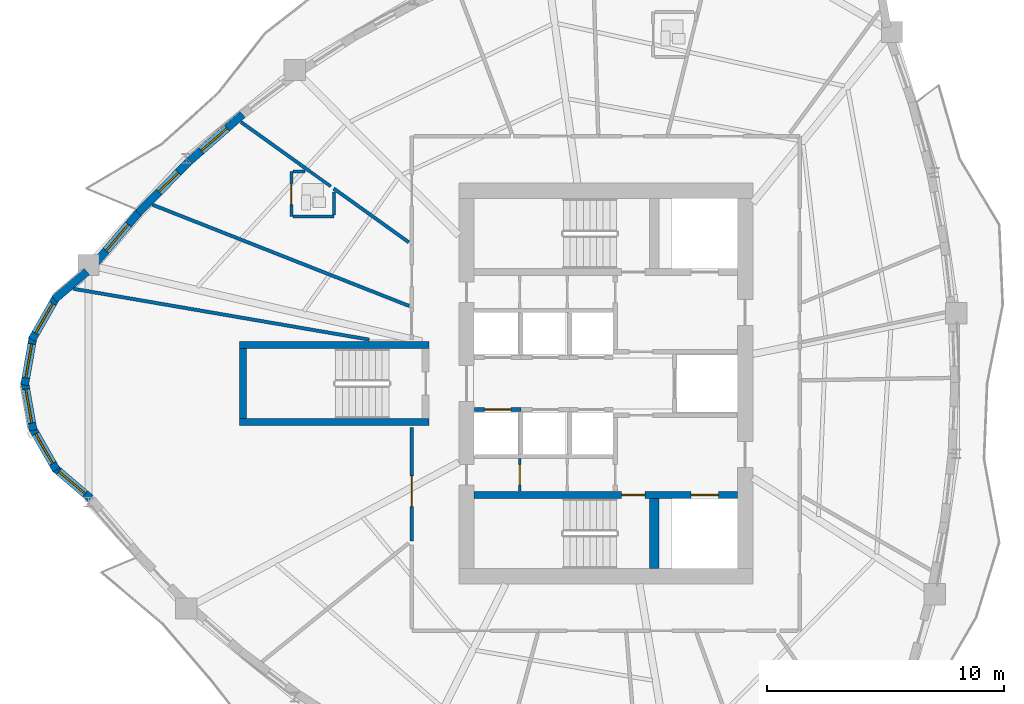
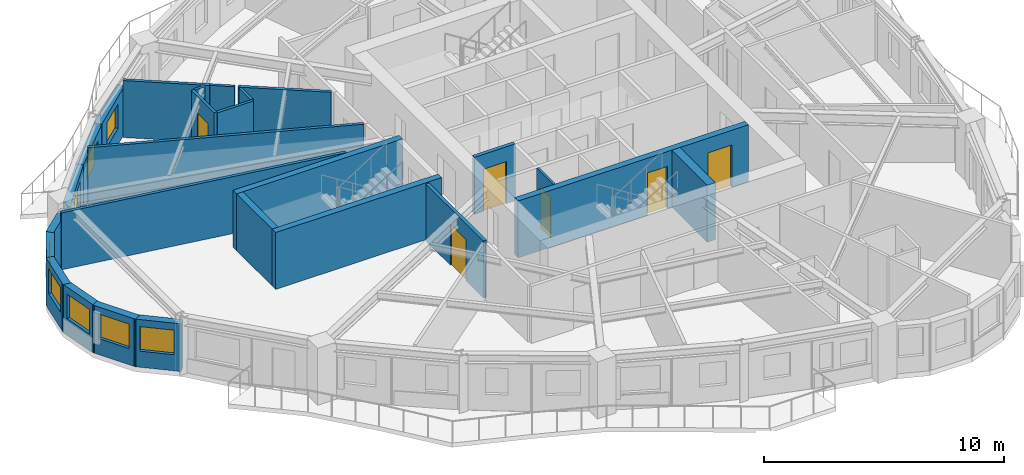
# One storey, part 4 of 12: 26 walls, 8 windows, 6 doors, 14 openings.
"""IFC4 building model written with IfcOpenShell, lengths in metres."""

from ifc_helpers import new_model, si_unit, direction, frame, frame_2d, origin, place, context, subcontext, project, spatial, rectangle, extrude, source, transform, mapped, material, layer, layer_set, type_object, element, fill, save


model = new_model("IFC4")

# Units and contexts
model_context = context("Model", 3, precision=1e-05, world=origin(), true_north=direction((0.0, 1.0)))
body_context = subcontext(model_context, "Body", "Model", "MODEL_VIEW")
ifc_project = project(units=[si_unit("LENGTHUNIT", "METRE"), si_unit("AREAUNIT", "SQUARE_METRE"), si_unit("VOLUMEUNIT", "CUBIC_METRE"), si_unit("PLANEANGLEUNIT", "RADIAN"), si_unit("MASSUNIT", "GRAM", prefix="KILO")], contexts=[model_context])

# Site, building, storey
site_placement = place(None, origin())
site = spatial("IfcSite", under=ifc_project, at=site_placement, CompositionType="ELEMENT")
building_placement = place(site_placement, origin())
building = spatial("IfcBuilding", under=site, at=building_placement, Name="Qafzar Sky-Pleat Residences", CompositionType="ELEMENT")
storey_placement = place(building_placement, frame((0.0, 0.0, 124.800048828125)))
storey = spatial("IfcBuildingStorey", under=building, at=storey_placement, Name="L37", CompositionType="ELEMENT", Elevation=124.800048828125)

# Wall, opening, door
ifc_material_1 = material(Name="Acoustic gypsum plasterboard partition", Category="gypsum")
ifc_layer_1 = layer(ifc_material_1, 0.159912109375)
ifc_layer_set_1 = layer_set([ifc_layer_1], Name="Acoustic gypsum plasterboard partition")
wall_type_1 = type_object("IfcWallType", Name="PART-COR-160", PredefinedType="PARTITIONING", material=ifc_layer_set_1)
wall_1_placement = place(storey_placement, frame((22.169921875, 19.35888671875, 0.0), z_axis=(0.0, 0.0, 1.0), x_axis=(0.0, 1.0, 0.0)))
wall_1 = element("IfcWall", 1, at=wall_1_placement, inside=storey, type_object=wall_type_1, Name="L37 Partition Wall PART-L37-PW-005", PredefinedType="PARTITIONING", context=body_context, shape_type="SweptSolid", body=[
    extrude(rectangle(XDim=4.791015625, YDim=0.159912109375, at=frame_2d((2.3955078125, 0.0))), origin(), (0.0, 0.0, 1.0), 2.89990234375),
])
opening_1_placement = place(wall_1_placement, frame((1.444580078125, 0.0, 0.0)))
opening_1 = element("IfcOpeningElement", 2, at=opening_1_placement, cuts=wall_1, Name="Opening ID-05", PredefinedType="OPENING", context=body_context, shape_type="SweptSolid", body=[
    extrude(rectangle(XDim=1.300048828125, YDim=2.10009765625, at=frame_2d((0.64990234375, 1.050048828125))), frame((0.0, 0.08984375, 0.0), z_axis=(0.0, -1.0, 0.0), x_axis=(1.0, 0.0, 0.0)), (0.0, 0.0, 1.0), 0.179931640625),
])
ifc_material_2 = material(Name="Timber-faced fire door", Category="wood")
door_type_1 = type_object("IfcDoorType", Name="DR-LNG-1300", OperationType="DOUBLE_DOOR_SINGLE_SWING", PredefinedType="DOOR", material=ifc_material_2)
shared_shape_1 = source(origin(), body_context, "Body", "SweptSolid", [
    extrude(rectangle(XDim=1.300048828125, YDim=2.10009765625, at=frame_2d((0.64990234375, 1.050048828125))), frame((0.0, 0.02490234375, 0.0), z_axis=(0.0, -1.0, 0.0), x_axis=(1.0, 0.0, 0.0)), (0.0, 0.0, 1.0), 0.050048828125),
])
door_1_placement = place(opening_1_placement, origin())
door_1 = element("IfcDoor", 3, at=door_1_placement, inside=storey, type_object=door_type_1, Name="L37 Academic Seminar Room Door", OperationType="DOUBLE_DOOR_SINGLE_SWING", OverallHeight=2.10009765625, OverallWidth=1.300048828125, PredefinedType="DOOR", context=body_context, shape_type="MappedRepresentation", body=[
    mapped(shared_shape_1, transform((0.0, 0.0, 0.0), x_axis=(1.0, 0.0, 0.0), y_axis=(0.0, 1.0, 0.0), z_axis=(0.0, 0.0, 1.0), scale=1.0)),
])
fill(opening_1, door_1)

ifc_material_3 = material(Name="Concrete blockwork partition", Category="masonry")
ifc_layer_2 = layer(ifc_material_3, 0.179931640625)
ifc_layer_set_2 = layer_set([ifc_layer_2], Name="Concrete blockwork partition")
wall_type_2 = type_object("IfcWallType", Name="PART-SHAFT-180", PredefinedType="PARTITIONING", material=ifc_layer_set_2)
wall_2_placement = place(storey_placement, frame((24.81005859375, 24.89990234375, 0.0), z_axis=(0.0, 0.0, 1.0), x_axis=(1.0, 0.0, 0.0)))
wall_2 = element("IfcWall", 4, at=wall_2_placement, inside=storey, type_object=wall_type_2, Name="L37 Partition Wall PART-L37-P1-N", PredefinedType="PARTITIONING", context=body_context, shape_type="SweptSolid", body=[
    extrude(rectangle(XDim=1.96484375, YDim=0.179931640625, at=frame_2d((0.982421875, 0.0))), origin(), (0.0, 0.0, 1.0), 2.89990234375),
])
opening_2_placement = place(wall_2_placement, frame((0.4326171875, 0.0, 0.0)))
opening_2 = element("IfcOpeningElement", 5, at=opening_2_placement, cuts=wall_2, Name="Opening LD-01", PredefinedType="OPENING", context=body_context, shape_type="SweptSolid", body=[
    extrude(rectangle(XDim=1.10009765625, YDim=2.14990234375, at=frame_2d((0.550048828125, 1.074951171875))), frame((0.0, 0.10009765625, 0.0), z_axis=(0.0, -1.0, 0.0), x_axis=(1.0, 0.0, 0.0)), (0.0, 0.0, 1.0), 0.199951171875),
])
ifc_material_4 = material(Name="Stainless steel sliding landing door", Category="steel")
door_type_2 = type_object("IfcDoorType", Name="DR-LIFT-P", OperationType="DOUBLE_DOOR_SLIDING", PredefinedType="DOOR", material=ifc_material_4)
shared_shape_2 = source(origin(), body_context, "Body", "SweptSolid", [
    extrude(rectangle(XDim=1.10009765625, YDim=2.14990234375, at=frame_2d((0.550048828125, 1.074951171875))), frame((0.0, 0.02490234375, 0.0), z_axis=(0.0, -1.0, 0.0), x_axis=(1.0, 0.0, 0.0)), (0.0, 0.0, 1.0), 0.050048828125),
])
door_2_placement = place(opening_2_placement, origin())
door_2 = element("IfcDoor", 6, at=door_2_placement, inside=storey, type_object=door_type_2, Name="L37 Passenger Lift P1 Landing Door", OperationType="DOUBLE_DOOR_SLIDING", OverallHeight=2.14990234375, OverallWidth=1.10009765625, PredefinedType="DOOR", context=body_context, shape_type="MappedRepresentation", body=[
    mapped(shared_shape_2, transform((0.0, 0.0, 0.0), x_axis=(1.0, 0.0, 0.0), y_axis=(0.0, 1.0, 0.0), z_axis=(0.0, 0.0, 1.0), scale=1.0)),
])
fill(opening_2, door_2)

ifc_material_5 = material(Name="Gypsum plasterboard partition", Category="gypsum")
ifc_layer_3 = layer(ifc_material_5, 0.114990234375)
ifc_layer_set_3 = layer_set([ifc_layer_3], Name="Gypsum plasterboard partition")
wall_type_3 = type_object("IfcWallType", Name="PART-SVC-115", PredefinedType="PARTITIONING", material=ifc_layer_set_3)
wall_3_placement = place(storey_placement, frame((26.72509765625, 21.4599609375, 0.0), z_axis=(0.0, 0.0, 1.0), x_axis=(0.0, 1.0, 0.0)))
wall_3 = element("IfcWall", 7, at=wall_3_placement, inside=storey, type_object=wall_type_3, Name="L37 Partition Wall PART-L37-KC-SW-1", PredefinedType="PARTITIONING", context=body_context, shape_type="SweptSolid", body=[
    extrude(rectangle(XDim=1.380126953125, YDim=0.114990234375, at=frame_2d((0.68994140625, 0.0))), origin(), (0.0, 0.0, 1.0), 2.89990234375),
])
opening_3_placement = place(wall_3_placement, frame((0.260009765625, 0.0, 0.0)))
opening_3 = element("IfcOpeningElement", 8, at=opening_3_placement, cuts=wall_3, Name="Opening ID-09", PredefinedType="OPENING", context=body_context, shape_type="SweptSolid", body=[
    extrude(rectangle(XDim=0.860107421875, YDim=2.050048828125, at=frame_2d((0.43017578125, 1.02490234375))), frame((0.0, 0.0673828125, 0.0), z_axis=(0.0, -1.0, 0.0), x_axis=(1.0, 0.0, 0.0)), (0.0, 0.0, 1.0), 0.135009765625),
])
door_type_3 = type_object("IfcDoorType", Name="DR-SVC-860", OperationType="NOTDEFINED", PredefinedType="DOOR", material=ifc_material_2)
shared_shape_3 = source(origin(), body_context, "Body", "SweptSolid", [
    extrude(rectangle(XDim=0.860107421875, YDim=2.050048828125, at=frame_2d((0.43017578125, 1.02490234375))), frame((0.0, 0.02490234375, 0.0), z_axis=(0.0, -1.0, 0.0), x_axis=(1.0, 0.0, 0.0)), (0.0, 0.0, 1.0), 0.050048828125),
])
door_3_placement = place(opening_3_placement, origin())
door_3 = element("IfcDoor", 9, at=door_3_placement, inside=storey, type_object=door_type_3, Name="L37 Core South Cupboard 1 Door", OperationType="SINGLE_SWING_RIGHT", OverallHeight=2.050048828125, OverallWidth=0.860107421875, PredefinedType="DOOR", context=body_context, shape_type="MappedRepresentation", body=[
    mapped(shared_shape_3, transform((0.0, 0.0, 0.0), x_axis=(1.0, 0.0, 0.0), y_axis=(0.0, 1.0, 0.0), z_axis=(0.0, 0.0, 1.0), scale=1.0)),
])
fill(opening_3, door_3)

# Walls
ifc_layer_4 = layer(ifc_material_1, 0.14501953125)
ifc_layer_set_4 = layer_set([ifc_layer_4], Name="Acoustic gypsum plasterboard partition")
wall_type_4 = type_object("IfcWallType", Name="PART-UNIT-145", PredefinedType="PARTITIONING", material=ifc_layer_set_4)
wall_4_placement = place(storey_placement, frame((7.892822265625, 29.99560546875, 0.0), z_axis=(0.0, 0.0, 1.0), x_axis=(0.985544917876, -0.169414328938, 0.0)))
element("IfcWall", 10, at=wall_4_placement, inside=storey, type_object=wall_type_4, Name="L37 Partition Wall PART-L37-PW-021", PredefinedType="PARTITIONING", context=body_context, shape_type="SweptSolid", body=[
    extrude(rectangle(XDim=12.664306640625, YDim=0.14501953125, at=frame_2d((6.33203125, 0.0))), origin(), (0.0, 0.0, 1.0), 2.89990234375),
])
wall_5_placement = place(storey_placement, frame((11.227783203125, 33.540283203125, 0.0), z_axis=(0.0, 0.0, 1.0), x_axis=(0.930301058265, -0.366796866114, 0.0)))
element("IfcWall", 11, at=wall_5_placement, inside=storey, type_object=wall_type_4, Name="L37 Partition Wall PART-L37-PW-022", PredefinedType="PARTITIONING", context=body_context, shape_type="SweptSolid", body=[
    extrude(rectangle(XDim=11.639404296875, YDim=0.14501953125, at=frame_2d((5.81982421875, 0.0))), origin(), (0.0, 0.0, 1.0), 2.89990234375),
])
wall_6_placement = place(storey_placement, frame((18.8740234375, 34.22509765625, 0.0), z_axis=(0.0, 0.0, 1.0), x_axis=(0.812826521731, -0.582505833079, 0.0)))
element("IfcWall", 12, at=wall_6_placement, inside=storey, type_object=wall_type_4, Name="L37 Partition Wall PART-L37-PW-038", PredefinedType="PARTITIONING", context=body_context, shape_type="SweptSolid", body=[
    extrude(rectangle(XDim=3.896484375, YDim=0.14501953125, at=frame_2d((1.9482421875, 0.0))), origin(), (0.0, 0.0, 1.0), 2.89990234375),
])
wall_7_placement = place(storey_placement, frame((14.96142578125, 37.029541015625, 0.0), z_axis=(0.0, 0.0, 1.0), x_axis=(0.812838437321, -0.582489205748, 0.0)))
element("IfcWall", 13, at=wall_7_placement, inside=storey, type_object=wall_type_4, Name="L37 Partition Wall PART-L37-PW-040", PredefinedType="PARTITIONING", context=body_context, shape_type="SweptSolid", body=[
    extrude(rectangle(XDim=3.6162109375, YDim=0.14501953125, at=frame_2d((1.80810546875, 0.0))), origin(), (0.0, 0.0, 1.0), 2.89990234375),
])

# Wall, opening, door
ifc_material_6 = material(Name="Moisture-resistant gypsum partition", Category="gypsum")
ifc_layer_5 = layer(ifc_material_6, 0.1298828125)
ifc_layer_set_5 = layer_set([ifc_layer_5], Name="Moisture-resistant gypsum partition")
wall_type_5 = type_object("IfcWallType", Name="PART-WET-130", PredefinedType="PARTITIONING", material=ifc_layer_set_5)
wall_8_placement = place(storey_placement, frame((17.089111328125, 34.93798828125, 0.0), z_axis=(0.0, 0.0, 1.0), x_axis=(0.0, -1.0, 0.0)))
wall_8 = element("IfcWall", 14, at=wall_8_placement, inside=storey, type_object=wall_type_5, Name="L37 Partition Wall PART-L37-PW-014", PredefinedType="PARTITIONING", context=body_context, shape_type="SweptSolid", body=[
    extrude(rectangle(XDim=1.89990234375, YDim=0.1298828125, at=frame_2d((0.949951171875, 0.0))), origin(), (0.0, 0.0, 1.0), 2.89990234375),
])
opening_4_placement = place(wall_8_placement, frame((0.510009765625, 0.0, 0.0)))
opening_4 = element("IfcOpeningElement", 15, at=opening_4_placement, cuts=wall_8, Name="Opening ID-07", PredefinedType="OPENING", context=body_context, shape_type="SweptSolid", body=[
    extrude(rectangle(XDim=0.8798828125, YDim=2.050048828125, at=frame_2d((0.43994140625, 1.02490234375))), frame((0.0, 0.074951171875, 0.0), z_axis=(0.0, -1.0, 0.0), x_axis=(1.0, 0.0, 0.0)), (0.0, 0.0, 1.0), 0.14990234375),
])
door_type_4 = type_object("IfcDoorType", Name="DR-WET-880", OperationType="NOTDEFINED", PredefinedType="DOOR", material=ifc_material_2)
shared_shape_4 = source(origin(), body_context, "Body", "SweptSolid", [
    extrude(rectangle(XDim=0.8798828125, YDim=2.050048828125, at=frame_2d((0.43994140625, 1.02490234375))), frame((0.0, 0.02490234375, 0.0), z_axis=(0.0, -1.0, 0.0), x_axis=(1.0, 0.0, 0.0)), (0.0, 0.0, 1.0), 0.050048828125),
])
door_4_placement = place(opening_4_placement, origin())
door_4 = element("IfcDoor", 16, at=door_4_placement, inside=storey, type_object=door_type_4, Name="L37 En-suite Bathroom 2 Door", OperationType="SINGLE_SWING_LEFT", OverallHeight=2.050048828125, OverallWidth=0.8798828125, PredefinedType="DOOR", context=body_context, shape_type="MappedRepresentation", body=[
    mapped(shared_shape_4, transform((0.0, 0.0, 0.0), x_axis=(1.0, 0.0, 0.0), y_axis=(0.0, 1.0, 0.0), z_axis=(0.0, 0.0, 1.0), scale=1.0)),
])
fill(opening_4, door_4)

# Walls
wall_9_placement = place(storey_placement, frame((17.162109375, 33.0380859375, 0.0), z_axis=(0.0, 0.0, 1.0), x_axis=(1.0, 0.0, 0.0)))
element("IfcWall", 17, at=wall_9_placement, inside=storey, type_object=wall_type_5, Name="L37 Partition Wall PART-L37-PW-042", PredefinedType="PARTITIONING", context=body_context, shape_type="SweptSolid", body=[
    extrude(rectangle(XDim=1.726806640625, YDim=0.1298828125, at=frame_2d((0.86328125, 0.0))), origin(), (0.0, 0.0, 1.0), 2.89990234375),
])
wall_10_placement = place(storey_placement, frame((18.888916015625, 33.111083984375, 0.0), z_axis=(0.0, 0.0, 1.0), x_axis=(0.0, 1.0, 0.0)))
element("IfcWall", 18, at=wall_10_placement, inside=storey, type_object=wall_type_5, Name="L37 Partition Wall PART-L37-PW-050", PredefinedType="PARTITIONING", context=body_context, shape_type="SweptSolid", body=[
    extrude(rectangle(XDim=0.960205078125, YDim=0.1298828125, at=frame_2d((0.47998046875, 0.0))), origin(), (0.0, 0.0, 1.0), 2.89990234375),
])
wall_11_placement = place(storey_placement, frame((17.9130859375, 34.914306640625, 0.0), z_axis=(0.0, 0.0, 1.0), x_axis=(0.812774229327, -0.582578794792, 0.0)))
element("IfcWall", 19, at=wall_11_placement, inside=storey, type_object=wall_type_5, Name="L37 Partition Wall PART-L37-PW-051", PredefinedType="PARTITIONING", context=body_context, shape_type="SweptSolid", body=[
    extrude(rectangle(XDim=1.032958984375, YDim=0.1298828125, at=frame_2d((0.5166015625, 0.0))), origin(), (0.0, 0.0, 1.0), 2.89990234375),
])
wall_12_placement = place(storey_placement, frame((17.162109375, 34.93798828125, 0.0), z_axis=(0.0, 0.0, 1.0), x_axis=(1.0, 0.0, 0.0)))
element("IfcWall", 20, at=wall_12_placement, inside=storey, type_object=wall_type_5, Name="L37 Partition Wall PART-L37-PW-054", PredefinedType="PARTITIONING", context=body_context, shape_type="SweptSolid", body=[
    extrude(rectangle(XDim=0.49462890625, YDim=0.1298828125, at=frame_2d((0.247314453125, 0.0))), origin(), (0.0, 0.0, 1.0), 2.89990234375),
])
ifc_material_7 = material(Name="Precast concrete C40/50 with honed Riyadh limestone", Category="concrete")
ifc_layer_6 = layer(ifc_material_7, 0.340087890625)
ifc_layer_set_6 = layer_set([ifc_layer_6], Name="Precast concrete C40/50 with honed Riyadh limestone")
wall_type_6 = type_object("IfcWallType", Name="WALL-EXT-340", PredefinedType="SOLIDWALL", material=ifc_layer_set_6)
wall_13_placement = place(storey_placement, frame((8.4638671875, 30.717529296875, 0.0), z_axis=(0.0, 0.0, 1.0), x_axis=(-0.76120118347, -0.648515811899, 0.0)))
element("IfcWall", 21, at=wall_13_placement, inside=storey, type_object=wall_type_6, Name="L37 Limestone Facade Wall 1", PredefinedType="SOLIDWALL", context=body_context, shape_type="SweptSolid", body=[
    extrude(rectangle(XDim=1.8046875, YDim=0.340087890625, at=frame_2d((0.90234375, 0.0))), origin(), (0.0, 0.0, 1.0), 2.429931640625),
])

# Wall, opening, window
wall_14_placement = place(storey_placement, frame((7.17529296875, 29.649658203125, 0.0), z_axis=(0.0, 0.0, 1.0), x_axis=(-0.495999400124, -0.868322863385, 0.0)))
wall_14 = element("IfcWall", 22, at=wall_14_placement, inside=storey, type_object=wall_type_6, Name="L37 Limestone Facade Wall 2", PredefinedType="SOLIDWALL", context=body_context, shape_type="SweptSolid", body=[
    extrude(rectangle(XDim=2.07275390625, YDim=0.340087890625, at=frame_2d((1.036376953125, 0.0))), origin(), (0.0, 0.0, 1.0), 2.429931640625),
])
opening_5_placement = place(wall_14_placement, frame((0.311279296875, 0.0, 0.820068359375)))
opening_5 = element("IfcOpeningElement", 23, at=opening_5_placement, cuts=wall_14, Name="Opening WN-15", PredefinedType="OPENING", context=body_context, shape_type="SweptSolid", body=[
    extrude(rectangle(XDim=1.449951171875, YDim=1.25, at=frame_2d((0.72509765625, 0.625))), frame((0.0, 0.18017578125, 0.0), z_axis=(0.0, -1.0, 0.0), x_axis=(1.0, 0.0, 0.0)), (0.0, 0.0, 1.0), 0.360107421875),
])
ifc_material_8 = material(Name="Solar-control low-E glass in bronze aluminium frame", Category="glass")
window_type_1 = type_object("IfcWindowType", Name="WIN-15", PartitioningType="SINGLE_PANEL", PredefinedType="WINDOW", material=ifc_material_8)
shared_shape_5 = source(origin(), body_context, "Body", "SweptSolid", [
    extrude(rectangle(XDim=1.449951171875, YDim=1.25, at=frame_2d((0.72509765625, 0.625))), frame((0.0, 0.030029296875, 0.0), z_axis=(0.0, -1.0, 0.0), x_axis=(1.0, 0.0, 0.0)), (0.0, 0.0, 1.0), 0.06005859375),
])
window_1_placement = place(opening_5_placement, origin())
window_1 = element("IfcWindow", 24, at=window_1_placement, inside=storey, type_object=window_type_1, Name="L37 Punched Facade Window 02", OverallHeight=1.25, OverallWidth=1.449951171875, PartitioningType="SINGLE_PANEL", PredefinedType="WINDOW", context=body_context, shape_type="MappedRepresentation", body=[
    mapped(shared_shape_5, transform((0.0, 0.0, 0.0), x_axis=(1.0, 0.0, 0.0), y_axis=(0.0, 1.0, 0.0), z_axis=(0.0, 0.0, 1.0), scale=1.0)),
])
fill(opening_5, window_1)

wall_15_placement = place(storey_placement, frame((6.1923828125, 27.975341796875, 0.0), z_axis=(0.0, 0.0, 1.0), x_axis=(-0.172186061474, -0.985064444711, 0.0)))
wall_15 = element("IfcWall", 25, at=wall_15_placement, inside=storey, type_object=wall_type_6, Name="L37 Limestone Facade Wall 3", PredefinedType="SOLIDWALL", context=body_context, shape_type="SweptSolid", body=[
    extrude(rectangle(XDim=2.072998046875, YDim=0.340087890625, at=frame_2d((1.03662109375, 0.0))), origin(), (0.0, 0.0, 1.0), 2.429931640625),
])
opening_6_placement = place(wall_15_placement, frame((0.3115234375, 0.0, 0.820068359375)))
opening_6 = element("IfcOpeningElement", 26, at=opening_6_placement, cuts=wall_15, Name="Opening WN-15", PredefinedType="OPENING", context=body_context, shape_type="SweptSolid", body=[
    extrude(rectangle(XDim=1.449951171875, YDim=1.25, at=frame_2d((0.72509765625, 0.625))), frame((0.0, 0.18017578125, 0.0), z_axis=(0.0, -1.0, 0.0), x_axis=(1.0, 0.0, 0.0)), (0.0, 0.0, 1.0), 0.360107421875),
])
window_2_placement = place(opening_6_placement, origin())
window_2 = element("IfcWindow", 27, at=window_2_placement, inside=storey, type_object=window_type_1, Name="L37 Punched Facade Window 03", OverallHeight=1.25, OverallWidth=1.449951171875, PartitioningType="SINGLE_PANEL", PredefinedType="WINDOW", context=body_context, shape_type="MappedRepresentation", body=[
    mapped(shared_shape_5, transform((0.0, 0.0, 0.0), x_axis=(1.0, 0.0, 0.0), y_axis=(0.0, 1.0, 0.0), z_axis=(0.0, 0.0, 1.0), scale=1.0)),
])
fill(opening_6, window_2)

wall_16_placement = place(storey_placement, frame((5.83544921875, 26.066650390625, 0.0), z_axis=(0.0, 0.0, 1.0), x_axis=(0.172186061474, -0.985064444711, 0.0)))
wall_16 = element("IfcWall", 28, at=wall_16_placement, inside=storey, type_object=wall_type_6, Name="L37 Limestone Facade Wall 4", PredefinedType="SOLIDWALL", context=body_context, shape_type="SweptSolid", body=[
    extrude(rectangle(XDim=2.072998046875, YDim=0.340087890625, at=frame_2d((1.03662109375, 0.0))), origin(), (0.0, 0.0, 1.0), 2.429931640625),
])
opening_7_placement = place(wall_16_placement, frame((0.3115234375, 0.0, 0.820068359375)))
opening_7 = element("IfcOpeningElement", 29, at=opening_7_placement, cuts=wall_16, Name="Opening WN-15", PredefinedType="OPENING", context=body_context, shape_type="SweptSolid", body=[
    extrude(rectangle(XDim=1.449951171875, YDim=1.25, at=frame_2d((0.72509765625, 0.625))), frame((0.0, 0.18017578125, 0.0), z_axis=(0.0, -1.0, 0.0), x_axis=(1.0, 0.0, 0.0)), (0.0, 0.0, 1.0), 0.360107421875),
])
window_3_placement = place(opening_7_placement, origin())
window_3 = element("IfcWindow", 30, at=window_3_placement, inside=storey, type_object=window_type_1, Name="L37 Punched Facade Window 04", OverallHeight=1.25, OverallWidth=1.449951171875, PartitioningType="SINGLE_PANEL", PredefinedType="WINDOW", context=body_context, shape_type="MappedRepresentation", body=[
    mapped(shared_shape_5, transform((0.0, 0.0, 0.0), x_axis=(1.0, 0.0, 0.0), y_axis=(0.0, 1.0, 0.0), z_axis=(0.0, 0.0, 1.0), scale=1.0)),
])
fill(opening_7, window_3)

wall_17_placement = place(storey_placement, frame((6.147216796875, 24.150146484375, 0.0), z_axis=(0.0, 0.0, 1.0), x_axis=(0.495999400124, -0.868322863385, 0.0)))
wall_17 = element("IfcWall", 31, at=wall_17_placement, inside=storey, type_object=wall_type_6, Name="L37 Limestone Facade Wall 5", PredefinedType="SOLIDWALL", context=body_context, shape_type="SweptSolid", body=[
    extrude(rectangle(XDim=2.07275390625, YDim=0.340087890625, at=frame_2d((1.036376953125, 0.0))), origin(), (0.0, 0.0, 1.0), 2.429931640625),
])
opening_8_placement = place(wall_17_placement, frame((0.311279296875, 0.0, 0.820068359375)))
opening_8 = element("IfcOpeningElement", 32, at=opening_8_placement, cuts=wall_17, Name="Opening WN-15", PredefinedType="OPENING", context=body_context, shape_type="SweptSolid", body=[
    extrude(rectangle(XDim=1.449951171875, YDim=1.25, at=frame_2d((0.72509765625, 0.625))), frame((0.0, 0.18017578125, 0.0), z_axis=(0.0, -1.0, 0.0), x_axis=(1.0, 0.0, 0.0)), (0.0, 0.0, 1.0), 0.360107421875),
])
window_4_placement = place(opening_8_placement, origin())
window_4 = element("IfcWindow", 33, at=window_4_placement, inside=storey, type_object=window_type_1, Name="L37 Punched Facade Window 05", OverallHeight=1.25, OverallWidth=1.449951171875, PartitioningType="SINGLE_PANEL", PredefinedType="WINDOW", context=body_context, shape_type="MappedRepresentation", body=[
    mapped(shared_shape_5, transform((0.0, 0.0, 0.0), x_axis=(1.0, 0.0, 0.0), y_axis=(0.0, 1.0, 0.0), z_axis=(0.0, 0.0, 1.0), scale=1.0)),
])
fill(opening_8, window_4)

wall_18_placement = place(storey_placement, frame((7.090087890625, 22.452880859375, 0.0), z_axis=(0.0, 0.0, 1.0), x_axis=(0.761203352049, -0.648513266502, 0.0)))
wall_18 = element("IfcWall", 34, at=wall_18_placement, inside=storey, type_object=wall_type_6, Name="L37 Limestone Facade Wall 6", PredefinedType="SOLIDWALL", context=body_context, shape_type="SweptSolid", body=[
    extrude(rectangle(XDim=2.014892578125, YDim=0.340087890625, at=frame_2d((1.00732421875, 0.0))), origin(), (0.0, 0.0, 1.0), 2.429931640625),
])
opening_9_placement = place(wall_18_placement, frame((0.25244140625, 0.0, 0.820068359375)))
opening_9 = element("IfcOpeningElement", 35, at=opening_9_placement, cuts=wall_18, Name="Opening WN-15", PredefinedType="OPENING", context=body_context, shape_type="SweptSolid", body=[
    extrude(rectangle(XDim=1.449951171875, YDim=1.25, at=frame_2d((0.72509765625, 0.625))), frame((0.0, 0.18017578125, 0.0), z_axis=(0.0, -1.0, 0.0), x_axis=(1.0, 0.0, 0.0)), (0.0, 0.0, 1.0), 0.360107421875),
])
window_5_placement = place(opening_9_placement, origin())
window_5 = element("IfcWindow", 36, at=window_5_placement, inside=storey, type_object=window_type_1, Name="L37 Punched Facade Window 06", OverallHeight=1.25, OverallWidth=1.449951171875, PartitioningType="SINGLE_PANEL", PredefinedType="WINDOW", context=body_context, shape_type="MappedRepresentation", body=[
    mapped(shared_shape_5, transform((0.0, 0.0, 0.0), x_axis=(1.0, 0.0, 0.0), y_axis=(0.0, 1.0, 0.0), z_axis=(0.0, 0.0, 1.0), scale=1.0)),
])
fill(opening_9, window_5)

wall_19_placement = place(storey_placement, frame((15.030517578125, 37.3486328125, 0.0), z_axis=(0.0, 0.0, 1.0), x_axis=(-0.751472812955, -0.659764057364, 0.0)))
wall_19 = element("IfcWall", 37, at=wall_19_placement, inside=storey, type_object=wall_type_6, Name="L37 Limestone Facade Wall 46", PredefinedType="SOLIDWALL", context=body_context, shape_type="SweptSolid", body=[
    extrude(rectangle(XDim=2.989501953125, YDim=0.340087890625, at=frame_2d((1.49462890625, 0.0))), origin(), (0.0, 0.0, 1.0), 2.429931640625),
])
opening_10_placement = place(wall_19_placement, frame((0.875, 0.0, 0.820068359375)))
opening_10 = element("IfcOpeningElement", 38, at=opening_10_placement, cuts=wall_19, Name="Opening WN-15", PredefinedType="OPENING", context=body_context, shape_type="SweptSolid", body=[
    extrude(rectangle(XDim=1.449951171875, YDim=1.25, at=frame_2d((0.72509765625, 0.625))), frame((0.0, 0.18017578125, 0.0), z_axis=(0.0, -1.0, 0.0), x_axis=(1.0, 0.0, 0.0)), (0.0, 0.0, 1.0), 0.360107421875),
])
window_6_placement = place(opening_10_placement, origin())
window_6 = element("IfcWindow", 39, at=window_6_placement, inside=storey, type_object=window_type_1, Name="L37 Punched Facade Window 46", OverallHeight=1.25, OverallWidth=1.449951171875, PartitioningType="SINGLE_PANEL", PredefinedType="WINDOW", context=body_context, shape_type="MappedRepresentation", body=[
    mapped(shared_shape_5, transform((0.0, 0.0, 0.0), x_axis=(1.0, 0.0, 0.0), y_axis=(0.0, 1.0, 0.0), z_axis=(0.0, 0.0, 1.0), scale=1.0)),
])
fill(opening_10, window_6)

wall_20_placement = place(storey_placement, frame((12.763916015625, 35.357177734375, 0.0), z_axis=(0.0, 0.0, 1.0), x_axis=(-0.701906045867, -0.712269543625, 0.0)))
wall_20 = element("IfcWall", 40, at=wall_20_placement, inside=storey, type_object=wall_type_6, Name="L37 Limestone Facade Wall 47", PredefinedType="SOLIDWALL", context=body_context, shape_type="SweptSolid", body=[
    extrude(rectangle(XDim=3.0390625, YDim=0.340087890625, at=frame_2d((1.51953125, 0.0))), origin(), (0.0, 0.0, 1.0), 2.429931640625),
])
opening_11_placement = place(wall_20_placement, frame((0.6455078125, 0.0, 0.820068359375)))
opening_11 = element("IfcOpeningElement", 41, at=opening_11_placement, cuts=wall_20, Name="Opening WN-16", PredefinedType="OPENING", context=body_context, shape_type="SweptSolid", body=[
    extrude(rectangle(XDim=1.14990234375, YDim=1.199951171875, at=frame_2d((0.574951171875, 0.60009765625))), frame((0.0, 0.18017578125, 0.0), z_axis=(0.0, -1.0, 0.0), x_axis=(1.0, 0.0, 0.0)), (0.0, 0.0, 1.0), 0.360107421875),
])
window_type_2 = type_object("IfcWindowType", Name="WIN-16", PartitioningType="SINGLE_PANEL", PredefinedType="WINDOW", material=ifc_material_8)
shared_shape_6 = source(origin(), body_context, "Body", "SweptSolid", [
    extrude(rectangle(XDim=1.14990234375, YDim=1.199951171875, at=frame_2d((0.574951171875, 0.60009765625))), frame((0.0, 0.030029296875, 0.0), z_axis=(0.0, -1.0, 0.0), x_axis=(1.0, 0.0, 0.0)), (0.0, 0.0, 1.0), 0.06005859375),
])
window_7_placement = place(opening_11_placement, origin())
window_7 = element("IfcWindow", 42, at=window_7_placement, inside=storey, type_object=window_type_2, Name="L37 Punched Facade Window 47", OverallHeight=1.199951171875, OverallWidth=1.14990234375, PartitioningType="SINGLE_PANEL", PredefinedType="WINDOW", context=body_context, shape_type="MappedRepresentation", body=[
    mapped(shared_shape_6, transform((0.0, 0.0, 0.0), x_axis=(1.0, 0.0, 0.0), y_axis=(0.0, 1.0, 0.0), z_axis=(0.0, 0.0, 1.0), scale=1.0)),
])
fill(opening_11, window_7)

wall_21_placement = place(storey_placement, frame((10.690185546875, 33.257080078125, 0.0), z_axis=(0.0, 0.0, 1.0), x_axis=(-0.650763576187, -0.759280427714, 0.0)))
wall_21 = element("IfcWall", 43, at=wall_21_placement, inside=storey, type_object=wall_type_6, Name="L37 Limestone Facade Wall 48", PredefinedType="SOLIDWALL", context=body_context, shape_type="SweptSolid", body=[
    extrude(rectangle(XDim=2.893310546875, YDim=0.340087890625, at=frame_2d((1.44677734375, 0.0))), origin(), (0.0, 0.0, 1.0), 2.429931640625),
])
opening_12_placement = place(wall_21_placement, frame((0.726806640625, 0.0, 0.820068359375)))
opening_12 = element("IfcOpeningElement", 44, at=opening_12_placement, cuts=wall_21, Name="Opening WN-15", PredefinedType="OPENING", context=body_context, shape_type="SweptSolid", body=[
    extrude(rectangle(XDim=1.449951171875, YDim=1.25, at=frame_2d((0.72509765625, 0.625))), frame((0.0, 0.18017578125, 0.0), z_axis=(0.0, -1.0, 0.0), x_axis=(1.0, 0.0, 0.0)), (0.0, 0.0, 1.0), 0.360107421875),
])
window_8_placement = place(opening_12_placement, origin())
window_8 = element("IfcWindow", 45, at=window_8_placement, inside=storey, type_object=window_type_1, Name="L37 Punched Facade Window 48", OverallHeight=1.25, OverallWidth=1.449951171875, PartitioningType="SINGLE_PANEL", PredefinedType="WINDOW", context=body_context, shape_type="MappedRepresentation", body=[
    mapped(shared_shape_5, transform((0.0, 0.0, 0.0), x_axis=(1.0, 0.0, 0.0), y_axis=(0.0, 1.0, 0.0), z_axis=(0.0, 0.0, 1.0), scale=1.0)),
])
fill(opening_12, window_8)

# Wall, openings, doors
ifc_material_9 = material(Name="Concrete C60/75", Category="concrete")
ifc_layer_7 = layer(ifc_material_9, 0.300048828125)
ifc_layer_set_7 = layer_set([ifc_layer_7], Name="Concrete C60/75")
wall_type_7 = type_object("IfcWallType", Name="WALL-SHEAR-300", PredefinedType="SHEAR", material=ifc_layer_set_7)
wall_22_placement = place(storey_placement, frame((24.800048828125, 21.300048828125, 0.0), z_axis=(0.0, 0.0, 1.0), x_axis=(1.0, 0.0, 0.0)))
wall_22 = element("IfcWall", 46, at=wall_22_placement, inside=storey, type_object=wall_type_7, Name="L37 Stair ST1 and FF1 Shaft North Wall", PredefinedType="SHEAR", context=body_context, shape_type="SweptSolid", body=[
    extrude(rectangle(XDim=11.099853515625, YDim=0.300048828125, at=frame_2d((5.5498046875, 0.0))), origin(), (0.0, 0.0, 1.0), 2.89990234375),
])
opening_13_placement = place(wall_22_placement, frame((6.219970703125, 0.0, 0.0)))
opening_13 = element("IfcOpeningElement", 47, at=opening_13_placement, cuts=wall_22, Name="Opening ID-01", PredefinedType="OPENING", context=body_context, shape_type="SweptSolid", body=[
    extrude(rectangle(XDim=0.97998046875, YDim=2.14990234375, at=frame_2d((0.489990234375, 1.074951171875))), frame((0.0, 0.16015625, 0.0), z_axis=(0.0, -1.0, 0.0), x_axis=(1.0, 0.0, 0.0)), (0.0, 0.0, 1.0), 0.320068359375),
])
opening_14_placement = place(wall_22_placement, frame((9.14990234375, 0.0, 0.0)))
opening_14 = element("IfcOpeningElement", 48, at=opening_14_placement, cuts=wall_22, Name="Opening LD-02", PredefinedType="OPENING", context=body_context, shape_type="SweptSolid", body=[
    extrude(rectangle(XDim=1.14990234375, YDim=2.14990234375, at=frame_2d((0.574951171875, 1.074951171875))), frame((0.0, 0.16015625, 0.0), z_axis=(0.0, -1.0, 0.0), x_axis=(1.0, 0.0, 0.0)), (0.0, 0.0, 1.0), 0.320068359375),
])
door_type_5 = type_object("IfcDoorType", Name="DR-STAIR-980", OperationType="NOTDEFINED", PredefinedType="DOOR", material=ifc_material_2)
shared_shape_7 = source(origin(), body_context, "Body", "SweptSolid", [
    extrude(rectangle(XDim=0.97998046875, YDim=2.14990234375, at=frame_2d((0.489990234375, 1.074951171875))), frame((0.0, 0.02490234375, 0.0), z_axis=(0.0, -1.0, 0.0), x_axis=(1.0, 0.0, 0.0)), (0.0, 0.0, 1.0), 0.050048828125),
])
door_5_placement = place(opening_13_placement, origin())
door_5 = element("IfcDoor", 49, at=door_5_placement, inside=storey, type_object=door_type_5, Name="L37 Stair ST1 Fire Door", OperationType="SINGLE_SWING_LEFT", OverallHeight=2.14990234375, OverallWidth=0.97998046875, PredefinedType="DOOR", context=body_context, shape_type="MappedRepresentation", body=[
    mapped(shared_shape_7, transform((0.0, 0.0, 0.0), x_axis=(1.0, 0.0, 0.0), y_axis=(0.0, 1.0, 0.0), z_axis=(0.0, 0.0, 1.0), scale=1.0)),
])
fill(opening_13, door_5)
door_type_6 = type_object("IfcDoorType", Name="DR-LIFT-FF", OperationType="DOUBLE_DOOR_SLIDING", PredefinedType="DOOR", material=ifc_material_4)
shared_shape_8 = source(origin(), body_context, "Body", "SweptSolid", [
    extrude(rectangle(XDim=1.14990234375, YDim=2.14990234375, at=frame_2d((0.574951171875, 1.074951171875))), frame((0.0, 0.02490234375, 0.0), z_axis=(0.0, -1.0, 0.0), x_axis=(1.0, 0.0, 0.0)), (0.0, 0.0, 1.0), 0.050048828125),
])
door_6_placement = place(opening_14_placement, origin())
door_6 = element("IfcDoor", 50, at=door_6_placement, inside=storey, type_object=door_type_6, Name="L37 Firefighting Lift FF1 Landing Door", OperationType="DOUBLE_DOOR_SLIDING", OverallHeight=2.14990234375, OverallWidth=1.14990234375, PredefinedType="DOOR", context=body_context, shape_type="MappedRepresentation", body=[
    mapped(shared_shape_8, transform((0.0, 0.0, 0.0), x_axis=(1.0, 0.0, 0.0), y_axis=(0.0, 1.0, 0.0), z_axis=(0.0, 0.0, 1.0), scale=1.0)),
])
fill(opening_14, door_6)

# Walls
for number, where, z_axis, x_axis, name in (
    (51, (14.89990234375, 24.375, 0.0), (0.0, 0.0, 1.0), (1.0, 0.0, 0.0), "L37 ST3 wall S"),
    (52, (22.89990234375, 27.625, 0.0), (0.0, 0.0, 1.0), (-1.0, 0.0, 0.0), "L37 ST3 wall N"),
):
    element("IfcWall", number, at=place(storey_placement, frame(where, z_axis=z_axis, x_axis=x_axis)), inside=storey, type_object=wall_type_7, Name=name, PredefinedType="SHEAR", context=body_context, shape_type="SweptSolid", body=[
        extrude(rectangle(XDim=8.0, YDim=0.300048828125, at=frame_2d((4.0, 0.0))), origin(), (0.0, 0.0, 1.0), 2.89990234375),
    ])
wall_23_placement = place(storey_placement, frame((15.050048828125, 27.47509765625, 0.0), z_axis=(0.0, 0.0, 1.0), x_axis=(0.0, -1.0, 0.0)))
element("IfcWall", 53, at=wall_23_placement, inside=storey, type_object=wall_type_7, Name="L37 ST3 wall W", PredefinedType="SHEAR", context=body_context, shape_type="SweptSolid", body=[
    extrude(rectangle(XDim=2.9501953125, YDim=0.300048828125, at=frame_2d((1.47509765625, 0.0))), origin(), (0.0, 0.0, 1.0), 2.89990234375),
])
ifc_layer_8 = layer(ifc_material_9, 0.39990234375)
ifc_layer_set_8 = layer_set([ifc_layer_8], Name="Concrete C60/75")
wall_type_8 = type_object("IfcWallType", Name="WALL-SHEAR-400", PredefinedType="SHEAR", material=ifc_layer_set_8)
wall_24_placement = place(storey_placement, frame((32.39990234375, 18.199951171875, 0.0), z_axis=(0.0, 0.0, 1.0), x_axis=(0.0, 1.0, 0.0)))
element("IfcWall", 54, at=wall_24_placement, inside=storey, type_object=wall_type_8, Name="L37 Stair ST1 East Dividing Wall", PredefinedType="SHEAR", context=body_context, shape_type="SweptSolid", body=[
    extrude(rectangle(XDim=2.949951171875, YDim=0.39990234375, at=frame_2d((1.47509765625, 0.0))), origin(), (0.0, 0.0, 1.0), 2.89990234375),
])

save(model, "model.ifc")
